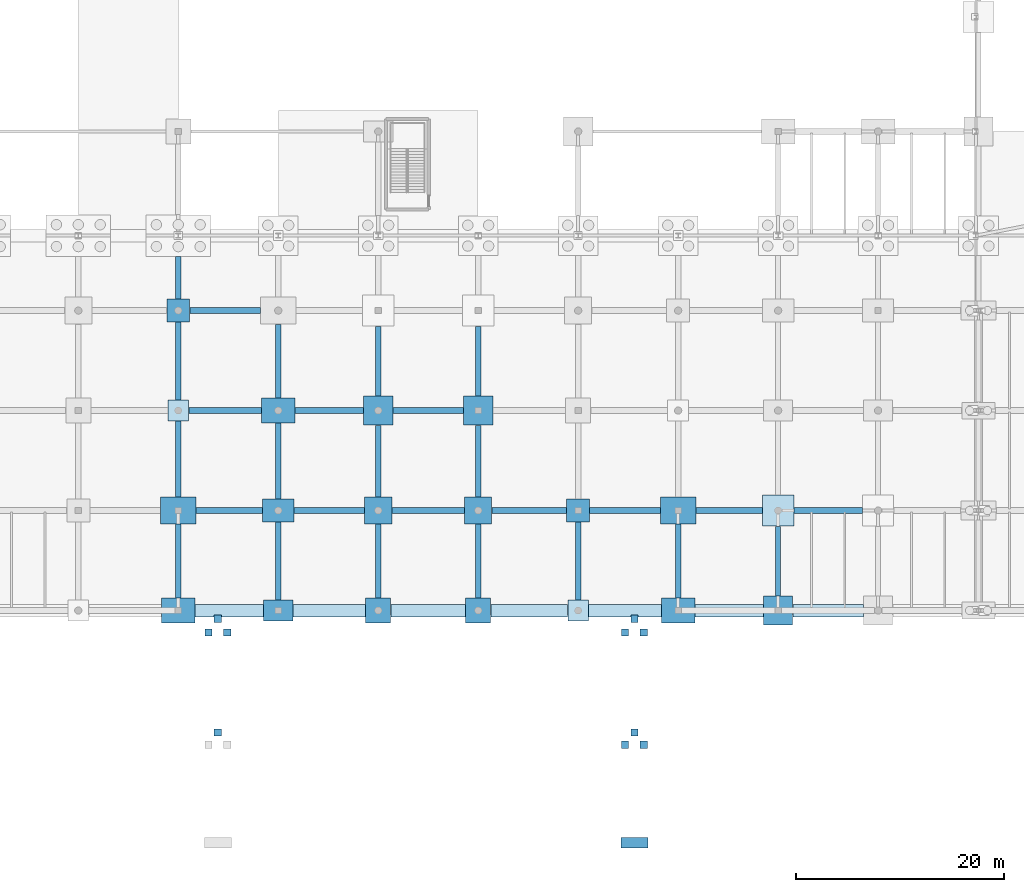
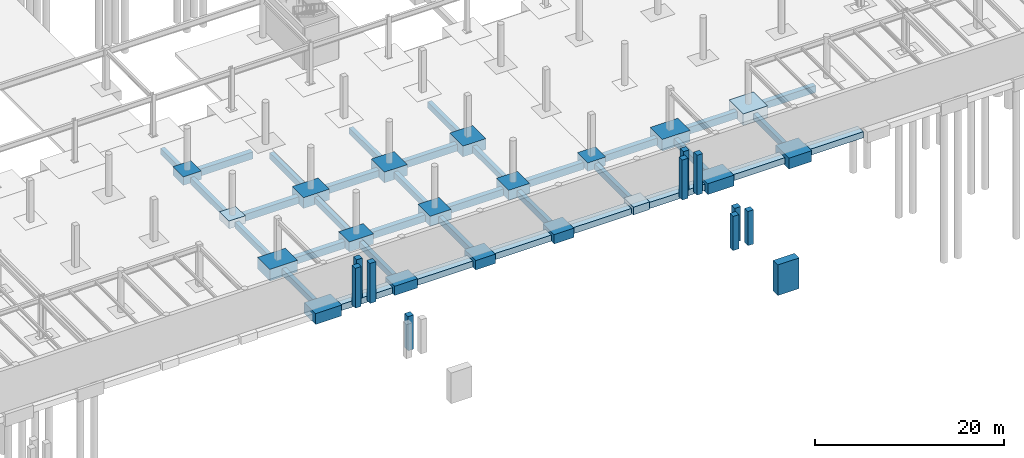
# One storey, part 3 of 50: 64 footings.
"""IFC4 building model written with IfcOpenShell, lengths in metres."""

from ifc_helpers import new_model, si_unit, direction, frame, origin, origin_2d, place, context, subcontext, project, spatial, polyline, rectangle, outline, extrude, material, material_profile, profile_set, type_object, element, save


model = new_model("IFC4")

# Units and contexts
model_context = context("Model", 3, precision=1e-05, world=origin(), true_north=direction((0.0, 1.0)))
body_context = subcontext(model_context, "Body", "Model", "MODEL_VIEW")
ifc_project = project(units=[si_unit("LENGTHUNIT", "METRE"), si_unit("AREAUNIT", "SQUARE_METRE"), si_unit("VOLUMEUNIT", "CUBIC_METRE"), si_unit("PLANEANGLEUNIT", "RADIAN"), si_unit("MASSUNIT", "GRAM", prefix="KILO")], contexts=[model_context])

# Site, building, storey
site_placement = place(None, origin())
site = spatial("IfcSite", under=ifc_project, at=site_placement, CompositionType="ELEMENT")
building_placement = place(site_placement, origin())
building = spatial("IfcBuilding", under=site, at=building_placement, Name="Yeouljin Market Hall", CompositionType="ELEMENT")
storey_placement = place(building_placement, frame((0.0, 0.0, -5.39990234375)))
storey = spatial("IfcBuildingStorey", under=building, at=storey_placement, Name="B1", CompositionType="ELEMENT", Elevation=-5.39990234375)

# Footings
ifc_material_1 = material(Name="Concrete C35/45", Category="concrete")
ifc_material_profile_1 = material_profile(ifc_material_1, rectangle(XDim=0.5, YDim=0.800048828125, at=origin_2d()), Name="RC-500x800")
ifc_profile_set_1 = profile_set([ifc_material_profile_1], Name="Concrete C35/45")
footing_type_1 = type_object("IfcFootingType", Name="FootingBeam_500x800", PredefinedType="FOOTING_BEAM", material=ifc_profile_set_1)
footing_1_placement = place(storey_placement, frame((64.199951171875, 1.2099609375, -0.800048828125), z_axis=(0.0, 1.0, 0.0), x_axis=(-1.0, 0.0, 0.0)))
element("IfcFooting", 1, at=footing_1_placement, inside=storey, type_object=footing_type_1, Name="Foundation tie beam Y-181", PredefinedType="FOOTING_BEAM", context=body_context, shape_type="SweptSolid", body=[
    extrude(rectangle(XDim=0.5, YDim=0.800048828125, at=origin_2d()), origin(), (0.0, 0.0, 1.0), 7.080078125),
])
footing_2_placement = place(storey_placement, frame((64.199951171875, 10.909912109375, -0.800048828125), z_axis=(0.0, 1.0, 0.0), x_axis=(-1.0, 0.0, 0.0)))
element("IfcFooting", 2, at=footing_2_placement, inside=storey, type_object=footing_type_1, Name="Foundation tie beam Y-182", PredefinedType="FOOTING_BEAM", context=body_context, shape_type="SweptSolid", body=[
    extrude(rectangle(XDim=0.5, YDim=0.800048828125, at=origin_2d()), origin(), (0.0, 0.0, 1.0), 7.280029296875),
])
footing_3_placement = place(storey_placement, frame((64.199951171875, 20.2099609375, -0.800048828125), z_axis=(0.0, 1.0, 0.0), x_axis=(-1.0, 0.0, 0.0)))
element("IfcFooting", 3, at=footing_3_placement, inside=storey, type_object=footing_type_1, Name="Foundation tie beam Y-183", PredefinedType="FOOTING_BEAM", context=body_context, shape_type="SweptSolid", body=[
    extrude(rectangle(XDim=0.5, YDim=0.800048828125, at=origin_2d()), origin(), (0.0, 0.0, 1.0), 7.47998046875),
])
footing_4_placement = place(storey_placement, frame((64.199951171875, 29.909912109375, -0.800048828125), z_axis=(0.0, 1.0, 0.0), x_axis=(-1.0, 0.0, 0.0)))
element("IfcFooting", 4, at=footing_4_placement, inside=storey, type_object=footing_type_1, Name="Foundation tie beam Y-184", PredefinedType="FOOTING_BEAM", context=body_context, shape_type="SweptSolid", body=[
    extrude(rectangle(XDim=0.5, YDim=0.800048828125, at=origin_2d()), origin(), (0.0, 0.0, 1.0), 4.080078125),
])
footing_5_placement = place(storey_placement, frame((73.800048828125, 1.010009765625, -0.800048828125), z_axis=(0.0, 1.0, 0.0), x_axis=(-1.0, 0.0, 0.0)))
element("IfcFooting", 5, at=footing_5_placement, inside=storey, type_object=footing_type_1, Name="Foundation tie beam Y-188", PredefinedType="FOOTING_BEAM", context=body_context, shape_type="SweptSolid", body=[
    extrude(rectangle(XDim=0.5, YDim=0.800048828125, at=origin_2d()), origin(), (0.0, 0.0, 1.0), 7.47998046875),
])
footing_6_placement = place(storey_placement, frame((73.800048828125, 10.7099609375, -0.800048828125), z_axis=(0.0, 1.0, 0.0), x_axis=(-1.0, 0.0, 0.0)))
element("IfcFooting", 6, at=footing_6_placement, inside=storey, type_object=footing_type_1, Name="Foundation tie beam Y-189", PredefinedType="FOOTING_BEAM", context=body_context, shape_type="SweptSolid", body=[
    extrude(rectangle(XDim=0.5, YDim=0.800048828125, at=origin_2d()), origin(), (0.0, 0.0, 1.0), 7.280029296875),
])
for number, where, z_axis, x_axis, name in (
    (7, (73.800048828125, 20.409912109375, -0.800048828125), (0.0, 1.0, 0.0), (-1.0, 0.0, 0.0), "Foundation tie beam Y-190"),
    (8, (83.39990234375, 1.2099609375, -0.800048828125), (0.0, 1.0, 0.0), (-1.0, 0.0, 0.0), "Foundation tie beam Y-193"),
):
    element("IfcFooting", number, at=place(storey_placement, frame(where, z_axis=z_axis, x_axis=x_axis)), inside=storey, type_object=footing_type_1, Name=name, PredefinedType="FOOTING_BEAM", context=body_context, shape_type="SweptSolid", body=[
        extrude(rectangle(XDim=0.5, YDim=0.800048828125, at=origin_2d()), origin(), (0.0, 0.0, 1.0), 7.080078125),
    ])
footing_7_placement = place(storey_placement, frame((83.39990234375, 10.909912109375, -0.800048828125), z_axis=(0.0, 1.0, 0.0), x_axis=(-1.0, 0.0, 0.0)))
element("IfcFooting", 9, at=footing_7_placement, inside=storey, type_object=footing_type_1, Name="Foundation tie beam Y-194", PredefinedType="FOOTING_BEAM", context=body_context, shape_type="SweptSolid", body=[
    extrude(rectangle(XDim=0.5, YDim=0.800048828125, at=origin_2d()), origin(), (0.0, 0.0, 1.0), 6.880126953125),
])
footing_8_placement = place(storey_placement, frame((83.39990234375, 20.610107421875, -0.800048828125), z_axis=(0.0, 1.0, 0.0), x_axis=(-1.0, 0.0, 0.0)))
element("IfcFooting", 10, at=footing_8_placement, inside=storey, type_object=footing_type_1, Name="Foundation tie beam Y-195", PredefinedType="FOOTING_BEAM", context=body_context, shape_type="SweptSolid", body=[
    extrude(rectangle(XDim=0.5, YDim=0.800048828125, at=origin_2d()), origin(), (0.0, 0.0, 1.0), 6.679931640625),
])
footing_9_placement = place(storey_placement, frame((93.0, 1.2099609375, -0.800048828125), z_axis=(0.0, 1.0, 0.0), x_axis=(-1.0, 0.0, 0.0)))
element("IfcFooting", 11, at=footing_9_placement, inside=storey, type_object=footing_type_1, Name="Foundation tie beam Y-203", PredefinedType="FOOTING_BEAM", context=body_context, shape_type="SweptSolid", body=[
    extrude(rectangle(XDim=0.5, YDim=0.800048828125, at=origin_2d()), origin(), (0.0, 0.0, 1.0), 7.080078125),
])
footing_10_placement = place(storey_placement, frame((93.0, 10.909912109375, -0.800048828125), z_axis=(0.0, 1.0, 0.0), x_axis=(-1.0, 0.0, 0.0)))
element("IfcFooting", 12, at=footing_10_placement, inside=storey, type_object=footing_type_1, Name="Foundation tie beam Y-204", PredefinedType="FOOTING_BEAM", context=body_context, shape_type="SweptSolid", body=[
    extrude(rectangle(XDim=0.5, YDim=0.800048828125, at=origin_2d()), origin(), (0.0, 0.0, 1.0), 6.880126953125),
])
footing_11_placement = place(storey_placement, frame((93.0, 20.610107421875, -0.800048828125), z_axis=(0.0, 1.0, 0.0), x_axis=(-1.0, 0.0, 0.0)))
element("IfcFooting", 13, at=footing_11_placement, inside=storey, type_object=footing_type_1, Name="Foundation tie beam Y-205", PredefinedType="FOOTING_BEAM", context=body_context, shape_type="SweptSolid", body=[
    extrude(rectangle(XDim=0.5, YDim=0.800048828125, at=origin_2d()), origin(), (0.0, 0.0, 1.0), 6.679931640625),
])
footing_12_placement = place(storey_placement, frame((102.60009765625, 1.010009765625, -0.800048828125), z_axis=(0.0, 1.0, 0.0), x_axis=(-1.0, 0.0, 0.0)))
element("IfcFooting", 14, at=footing_12_placement, inside=storey, type_object=footing_type_1, Name="Foundation tie beam Y-211", PredefinedType="FOOTING_BEAM", context=body_context, shape_type="SweptSolid", body=[
    extrude(rectangle(XDim=0.5, YDim=0.800048828125, at=origin_2d()), origin(), (0.0, 0.0, 1.0), 7.47998046875),
])
footing_13_placement = place(storey_placement, frame((112.199951171875, 1.2099609375, -0.800048828125), z_axis=(0.0, 1.0, 0.0), x_axis=(-1.0, 0.0, 0.0)))
element("IfcFooting", 15, at=footing_13_placement, inside=storey, type_object=footing_type_1, Name="Foundation tie beam Y-218", PredefinedType="FOOTING_BEAM", context=body_context, shape_type="SweptSolid", body=[
    extrude(rectangle(XDim=0.5, YDim=0.800048828125, at=origin_2d()), origin(), (0.0, 0.0, 1.0), 7.080078125),
])
footing_14_placement = place(storey_placement, frame((121.800048828125, 1.409912109375, -0.800048828125), z_axis=(0.0, 1.0, 0.0), x_axis=(-1.0, 0.0, 0.0)))
element("IfcFooting", 16, at=footing_14_placement, inside=storey, type_object=footing_type_1, Name="Foundation tie beam Y-223", PredefinedType="FOOTING_BEAM", context=body_context, shape_type="SweptSolid", body=[
    extrude(rectangle(XDim=0.5, YDim=0.800048828125, at=origin_2d()), origin(), (0.0, 0.0, 1.0), 6.68017578125),
])
ifc_material_2 = material(Name="Concrete C35/45", Category="concrete")
ifc_material_profile_2 = material_profile(ifc_material_2, rectangle(XDim=0.60009765625, YDim=0.89990234375, at=origin_2d()), Name="RC-600x900")
ifc_profile_set_2 = profile_set([ifc_material_profile_2], Name="Concrete C35/45")
footing_type_2 = type_object("IfcFootingType", Name="FootingBeam_600x900", PredefinedType="FOOTING_BEAM", material=ifc_profile_set_2)
footing_15_placement = place(storey_placement, frame((65.909912109375, 9.60009765625, -0.85009765625), z_axis=(1.0, 0.0, 0.0), x_axis=(0.0, 1.0, 0.0)))
element("IfcFooting", 17, at=footing_15_placement, inside=storey, type_object=footing_type_2, Name="Foundation tie beam X-027", PredefinedType="FOOTING_BEAM", context=body_context, shape_type="SweptSolid", body=[
    extrude(rectangle(XDim=0.60009765625, YDim=0.89990234375, at=origin_2d()), origin(), (0.0, 0.0, 1.0), 6.380126953125),
])
footing_16_placement = place(storey_placement, frame((75.31005859375, 9.60009765625, -0.85009765625), z_axis=(1.0, 0.0, 0.0), x_axis=(0.0, 1.0, 0.0)))
element("IfcFooting", 18, at=footing_16_placement, inside=storey, type_object=footing_type_2, Name="Foundation tie beam X-028", PredefinedType="FOOTING_BEAM", context=body_context, shape_type="SweptSolid", body=[
    extrude(rectangle(XDim=0.60009765625, YDim=0.89990234375, at=origin_2d()), origin(), (0.0, 0.0, 1.0), 6.780029296875),
])
footing_17_placement = place(storey_placement, frame((84.7099609375, 9.60009765625, -0.85009765625), z_axis=(1.0, 0.0, 0.0), x_axis=(0.0, 1.0, 0.0)))
element("IfcFooting", 19, at=footing_17_placement, inside=storey, type_object=footing_type_2, Name="Foundation tie beam X-029", PredefinedType="FOOTING_BEAM", context=body_context, shape_type="SweptSolid", body=[
    extrude(rectangle(XDim=0.60009765625, YDim=0.89990234375, at=origin_2d()), origin(), (0.0, 0.0, 1.0), 6.97998046875),
])
footing_18_placement = place(storey_placement, frame((94.31005859375, 9.60009765625, -0.85009765625), z_axis=(1.0, 0.0, 0.0), x_axis=(0.0, 1.0, 0.0)))
element("IfcFooting", 20, at=footing_18_placement, inside=storey, type_object=footing_type_2, Name="Foundation tie beam X-030", PredefinedType="FOOTING_BEAM", context=body_context, shape_type="SweptSolid", body=[
    extrude(rectangle(XDim=0.60009765625, YDim=0.89990234375, at=origin_2d()), origin(), (0.0, 0.0, 1.0), 7.179931640625),
])
footing_19_placement = place(storey_placement, frame((103.7099609375, 9.60009765625, -0.85009765625), z_axis=(1.0, 0.0, 0.0), x_axis=(0.0, 1.0, 0.0)))
element("IfcFooting", 21, at=footing_19_placement, inside=storey, type_object=footing_type_2, Name="Foundation tie beam X-031", PredefinedType="FOOTING_BEAM", context=body_context, shape_type="SweptSolid", body=[
    extrude(rectangle(XDim=0.60009765625, YDim=0.89990234375, at=origin_2d()), origin(), (0.0, 0.0, 1.0), 6.780029296875),
])
footing_20_placement = place(storey_placement, frame((113.909912109375, 9.60009765625, -0.85009765625), z_axis=(1.0, 0.0, 0.0), x_axis=(0.0, 1.0, 0.0)))
element("IfcFooting", 22, at=footing_20_placement, inside=storey, type_object=footing_type_2, Name="Foundation tie beam X-032", PredefinedType="FOOTING_BEAM", context=body_context, shape_type="SweptSolid", body=[
    extrude(rectangle(XDim=0.60009765625, YDim=0.89990234375, at=origin_2d()), origin(), (0.0, 0.0, 1.0), 6.380126953125),
])
footing_21_placement = place(storey_placement, frame((123.31005859375, 9.60009765625, -0.85009765625), z_axis=(1.0, 0.0, 0.0), x_axis=(0.0, 1.0, 0.0)))
element("IfcFooting", 23, at=footing_21_placement, inside=storey, type_object=footing_type_2, Name="Foundation tie beam X-033", PredefinedType="FOOTING_BEAM", context=body_context, shape_type="SweptSolid", body=[
    extrude(rectangle(XDim=0.60009765625, YDim=0.89990234375, at=origin_2d()), origin(), (0.0, 0.0, 1.0), 6.579833984375),
])
footing_22_placement = place(storey_placement, frame((65.2099609375, 19.199951171875, -0.85009765625), z_axis=(1.0, 0.0, 0.0), x_axis=(0.0, 1.0, 0.0)))
element("IfcFooting", 24, at=footing_22_placement, inside=storey, type_object=footing_type_2, Name="Foundation tie beam X-043", PredefinedType="FOOTING_BEAM", context=body_context, shape_type="SweptSolid", body=[
    extrude(rectangle(XDim=0.60009765625, YDim=0.89990234375, at=origin_2d()), origin(), (0.0, 0.0, 1.0), 6.97998046875),
])
footing_23_placement = place(storey_placement, frame((75.409912109375, 19.199951171875, -0.85009765625), z_axis=(1.0, 0.0, 0.0), x_axis=(0.0, 1.0, 0.0)))
element("IfcFooting", 25, at=footing_23_placement, inside=storey, type_object=footing_type_2, Name="Foundation tie beam X-044", PredefinedType="FOOTING_BEAM", context=body_context, shape_type="SweptSolid", body=[
    extrude(rectangle(XDim=0.60009765625, YDim=0.89990234375, at=origin_2d()), origin(), (0.0, 0.0, 1.0), 6.580078125),
])
for number, where, z_axis, x_axis, name in (
    (26, (84.81005859375, 19.199951171875, -0.85009765625), (1.0, 0.0, 0.0), (0.0, 1.0, 0.0), "Foundation tie beam X-045"),
    (27, (65.31005859375, 28.800048828125, -0.85009765625), (1.0, 0.0, 0.0), (0.0, 1.0, 0.0), "Foundation tie beam X-056"),
):
    element("IfcFooting", number, at=place(storey_placement, frame(where, z_axis=z_axis, x_axis=x_axis)), inside=storey, type_object=footing_type_2, Name=name, PredefinedType="FOOTING_BEAM", context=body_context, shape_type="SweptSolid", body=[
        extrude(rectangle(XDim=0.60009765625, YDim=0.89990234375, at=origin_2d()), origin(), (0.0, 0.0, 1.0), 6.780029296875),
    ])
ifc_material_3 = material(Name="Concrete C35/45", Category="concrete")
footing_type_3 = type_object("IfcFootingType", Name="PadFooting_2000x2000x1000", PredefinedType="PAD_FOOTING", material=ifc_material_3)
footing_24_placement = place(storey_placement, frame((0.0, 0.0, -1.0)))
element("IfcFooting", 28, at=footing_24_placement, inside=storey, type_object=footing_type_3, Name="Pile cap FPAD-031", PredefinedType="PAD_FOOTING", context=body_context, shape_type="SweptSolid", body=[
    extrude(outline(polyline([(63.199951171875, 18.199951171875), (65.199951171875, 18.199951171875), (65.199951171875, 20.199951171875), (63.199951171875, 20.199951171875), (63.199951171875, 18.199951171875)])), origin(), (0.0, 0.0, 1.0), 1.0),
])
footing_25_placement = place(storey_placement, frame((0.0, 0.0, -1.0)))
element("IfcFooting", 29, at=footing_25_placement, inside=storey, type_object=footing_type_3, Name="Pile cap FPAD-061", PredefinedType="PAD_FOOTING", context=body_context, shape_type="SweptSolid", body=[
    extrude(outline(polyline([(101.60009765625, -1.0), (103.60009765625, -1.0), (103.60009765625, 1.0), (101.60009765625, 1.0), (101.60009765625, -1.0)])), origin(), (0.0, 0.0, 1.0), 1.0),
])
ifc_material_4 = material(Name="Concrete C35/45", Category="concrete")
footing_type_4 = type_object("IfcFootingType", Name="PadFooting_2200x2200x1100", PredefinedType="PAD_FOOTING", material=ifc_material_4)
footing_26_placement = place(storey_placement, frame((0.0, 0.0, -1.10009765625)))
element("IfcFooting", 30, at=footing_26_placement, inside=storey, type_object=footing_type_4, Name="Pile cap FPAD-032", PredefinedType="PAD_FOOTING", context=body_context, shape_type="SweptSolid", body=[
    extrude(outline(polyline([(63.10009765625, 27.699951171875), (65.300048828125, 27.699951171875), (65.300048828125, 29.89990234375), (63.10009765625, 29.89990234375), (63.10009765625, 27.699951171875)])), origin(), (0.0, 0.0, 1.0), 1.10009765625),
])
footing_27_placement = place(storey_placement, frame((0.0, 0.0, -1.10009765625)))
element("IfcFooting", 31, at=footing_27_placement, inside=storey, type_object=footing_type_4, Name="Pile cap FPAD-062", PredefinedType="PAD_FOOTING", context=body_context, shape_type="SweptSolid", body=[
    extrude(outline(polyline([(101.5, 8.5), (103.699951171875, 8.5), (103.699951171875, 10.699951171875), (101.5, 10.699951171875), (101.5, 8.5)])), origin(), (0.0, 0.0, 1.0), 1.10009765625),
])
ifc_material_5 = material(Name="Concrete C35/45", Category="concrete")
footing_type_5 = type_object("IfcFootingType", Name="PadFooting_2400x2400x1200", PredefinedType="PAD_FOOTING", material=ifc_material_5)
footing_28_placement = place(storey_placement, frame((0.0, 0.0, -1.2001953125)))
element("IfcFooting", 32, at=footing_28_placement, inside=storey, type_object=footing_type_5, Name="Pile cap FPAD-043", PredefinedType="PAD_FOOTING", context=body_context, shape_type="SweptSolid", body=[
    extrude(outline(polyline([(82.199951171875, -1.199951171875), (84.60009765625, -1.199951171875), (84.60009765625, 1.199951171875), (82.199951171875, 1.199951171875), (82.199951171875, -1.199951171875)])), origin(), (0.0, 0.0, 1.0), 1.2001953125),
])
footing_29_placement = place(storey_placement, frame((0.0, 0.0, -1.2001953125)))
element("IfcFooting", 33, at=footing_29_placement, inside=storey, type_object=footing_type_5, Name="Pile cap FPAD-053", PredefinedType="PAD_FOOTING", context=body_context, shape_type="SweptSolid", body=[
    extrude(outline(polyline([(91.800048828125, -1.199951171875), (94.199951171875, -1.199951171875), (94.199951171875, 1.199951171875), (91.800048828125, 1.199951171875), (91.800048828125, -1.199951171875)])), origin(), (0.0, 0.0, 1.0), 1.2001953125),
])
ifc_material_6 = material(Name="Concrete C35/45", Category="concrete")
footing_type_6 = type_object("IfcFootingType", Name="PadFooting_2600x2600x1300", PredefinedType="PAD_FOOTING", material=ifc_material_6)
footing_30_placement = place(storey_placement, frame((0.0, 0.0, -1.300048828125)))
element("IfcFooting", 34, at=footing_30_placement, inside=storey, type_object=footing_type_6, Name="Pile cap FPAD-044", PredefinedType="PAD_FOOTING", context=body_context, shape_type="SweptSolid", body=[
    extrude(outline(polyline([(82.10009765625, 8.300048828125), (84.699951171875, 8.300048828125), (84.699951171875, 10.89990234375), (82.10009765625, 10.89990234375), (82.10009765625, 8.300048828125)])), origin(), (0.0, 0.0, 1.0), 1.300048828125),
])
footing_31_placement = place(storey_placement, frame((0.0, 0.0, -1.300048828125)))
element("IfcFooting", 35, at=footing_31_placement, inside=storey, type_object=footing_type_6, Name="Pile cap FPAD-054", PredefinedType="PAD_FOOTING", context=body_context, shape_type="SweptSolid", body=[
    extrude(outline(polyline([(91.699951171875, 8.300048828125), (94.300048828125, 8.300048828125), (94.300048828125, 10.89990234375), (91.699951171875, 10.89990234375), (91.699951171875, 8.300048828125)])), origin(), (0.0, 0.0, 1.0), 1.300048828125),
])
ifc_material_7 = material(Name="Concrete C35/45", Category="concrete")
footing_type_7 = type_object("IfcFootingType", Name="PadFooting_2800x2000x1200", PredefinedType="PAD_FOOTING", material=ifc_material_7)
footing_32_placement = place(storey_placement, frame((0.0, 0.0, -1.2001953125)))
element("IfcFooting", 36, at=footing_32_placement, inside=storey, type_object=footing_type_7, Name="Pile cap FPAD-037", PredefinedType="PAD_FOOTING", context=body_context, shape_type="SweptSolid", body=[
    extrude(outline(polyline([(72.39990234375, -1.0), (75.199951171875, -1.0), (75.199951171875, 1.0), (72.39990234375, 1.0), (72.39990234375, -1.0)])), origin(), (0.0, 0.0, 1.0), 1.2001953125),
])
ifc_material_8 = material(Name="Concrete C35/45", Category="concrete")
footing_type_8 = type_object("IfcFootingType", Name="PadFooting_2800x2800x1400", PredefinedType="PAD_FOOTING", material=ifc_material_8)
footing_33_placement = place(storey_placement, frame((0.0, 0.0, -1.400146484375)))
element("IfcFooting", 37, at=footing_33_placement, inside=storey, type_object=footing_type_8, Name="Pile cap FPAD-045", PredefinedType="PAD_FOOTING", context=body_context, shape_type="SweptSolid", body=[
    extrude(outline(polyline([(82.0, 17.800048828125), (84.800048828125, 17.800048828125), (84.800048828125, 20.60009765625), (82.0, 20.60009765625), (82.0, 17.800048828125)])), origin(), (0.0, 0.0, 1.0), 1.400146484375),
])
footing_34_placement = place(storey_placement, frame((0.0, 0.0, -1.400146484375)))
element("IfcFooting", 38, at=footing_34_placement, inside=storey, type_object=footing_type_8, Name="Pile cap FPAD-055", PredefinedType="PAD_FOOTING", context=body_context, shape_type="SweptSolid", body=[
    extrude(outline(polyline([(91.60009765625, 17.800048828125), (94.39990234375, 17.800048828125), (94.39990234375, 20.60009765625), (91.60009765625, 20.60009765625), (91.60009765625, 17.800048828125)])), origin(), (0.0, 0.0, 1.0), 1.400146484375),
])
footing_35_placement = place(storey_placement, frame((0.0, 0.0, -1.400146484375)))
element("IfcFooting", 39, at=footing_35_placement, inside=storey, type_object=footing_type_8, Name="Pile cap FPAD-075", PredefinedType="PAD_FOOTING", context=body_context, shape_type="SweptSolid", body=[
    extrude(outline(polyline([(120.39990234375, -1.39990234375), (123.199951171875, -1.39990234375), (123.199951171875, 1.39990234375), (120.39990234375, 1.39990234375), (120.39990234375, -1.39990234375)])), origin(), (0.0, 0.0, 1.0), 1.400146484375),
])
ifc_material_9 = material(Name="Concrete C35/45", Category="concrete")
footing_type_9 = type_object("IfcFootingType", Name="PadFooting_3000x2200x1300", PredefinedType="PAD_FOOTING", material=ifc_material_9)
footing_36_placement = place(storey_placement, frame((0.0, 0.0, -1.300048828125)))
element("IfcFooting", 40, at=footing_36_placement, inside=storey, type_object=footing_type_9, Name="Pile cap FPAD-038", PredefinedType="PAD_FOOTING", context=body_context, shape_type="SweptSolid", body=[
    extrude(outline(polyline([(72.300048828125, 8.5), (75.300048828125, 8.5), (75.300048828125, 10.699951171875), (72.300048828125, 10.699951171875), (72.300048828125, 8.5)])), origin(), (0.0, 0.0, 1.0), 1.300048828125),
])
ifc_material_10 = material(Name="Concrete C35/45", Category="concrete")
footing_type_10 = type_object("IfcFootingType", Name="PadFooting_3000x3000x1500", PredefinedType="PAD_FOOTING", material=ifc_material_10)
footing_37_placement = place(storey_placement, frame((0.0, 0.0, -1.5)))
element("IfcFooting", 41, at=footing_37_placement, inside=storey, type_object=footing_type_10, Name="Pile cap FPAD-076", PredefinedType="PAD_FOOTING", context=body_context, shape_type="SweptSolid", body=[
    extrude(outline(polyline([(120.300048828125, 8.10009765625), (123.300048828125, 8.10009765625), (123.300048828125, 11.10009765625), (120.300048828125, 11.10009765625), (120.300048828125, 8.10009765625)])), origin(), (0.0, 0.0, 1.0), 1.5),
])
ifc_material_11 = material(Name="Concrete C35/45", Category="concrete")
footing_type_11 = type_object("IfcFootingType", Name="PadFooting_3200x2400x1400", PredefinedType="PAD_FOOTING", material=ifc_material_11)
footing_38_placement = place(storey_placement, frame((0.0, 0.0, -1.400146484375)))
element("IfcFooting", 42, at=footing_38_placement, inside=storey, type_object=footing_type_11, Name="Pile cap FPAD-029", PredefinedType="PAD_FOOTING", context=body_context, shape_type="SweptSolid", body=[
    extrude(outline(polyline([(62.60009765625, -1.199951171875), (65.800048828125, -1.199951171875), (65.800048828125, 1.199951171875), (62.60009765625, 1.199951171875), (62.60009765625, -1.199951171875)])), origin(), (0.0, 0.0, 1.0), 1.400146484375),
])
footing_39_placement = place(storey_placement, frame((0.0, 0.0, -1.400146484375)))
element("IfcFooting", 43, at=footing_39_placement, inside=storey, type_object=footing_type_11, Name="Pile cap FPAD-039", PredefinedType="PAD_FOOTING", context=body_context, shape_type="SweptSolid", body=[
    extrude(outline(polyline([(72.199951171875, 18.0), (75.39990234375, 18.0), (75.39990234375, 20.39990234375), (72.199951171875, 20.39990234375), (72.199951171875, 18.0)])), origin(), (0.0, 0.0, 1.0), 1.400146484375),
])
footing_40_placement = place(storey_placement, frame((0.0, 0.0, -1.400146484375)))
element("IfcFooting", 44, at=footing_40_placement, inside=storey, type_object=footing_type_11, Name="Pile cap FPAD-069", PredefinedType="PAD_FOOTING", context=body_context, shape_type="SweptSolid", body=[
    extrude(outline(polyline([(110.60009765625, -1.199951171875), (113.800048828125, -1.199951171875), (113.800048828125, 1.199951171875), (110.60009765625, 1.199951171875), (110.60009765625, -1.199951171875)])), origin(), (0.0, 0.0, 1.0), 1.400146484375),
])
ifc_material_12 = material(Name="Concrete C35/45", Category="concrete")
footing_type_12 = type_object("IfcFootingType", Name="PadFooting_3400x2600x1500", PredefinedType="PAD_FOOTING", material=ifc_material_12)
footing_41_placement = place(storey_placement, frame((0.0, 0.0, -1.5)))
element("IfcFooting", 45, at=footing_41_placement, inside=storey, type_object=footing_type_12, Name="Pile cap FPAD-030", PredefinedType="PAD_FOOTING", context=body_context, shape_type="SweptSolid", body=[
    extrude(outline(polyline([(62.5, 8.300048828125), (65.89990234375, 8.300048828125), (65.89990234375, 10.89990234375), (62.5, 10.89990234375), (62.5, 8.300048828125)])), origin(), (0.0, 0.0, 1.0), 1.5),
])
footing_42_placement = place(storey_placement, frame((0.0, 0.0, -1.5)))
element("IfcFooting", 46, at=footing_42_placement, inside=storey, type_object=footing_type_12, Name="Pile cap FPAD-070", PredefinedType="PAD_FOOTING", context=body_context, shape_type="SweptSolid", body=[
    extrude(outline(polyline([(110.5, 8.300048828125), (113.89990234375, 8.300048828125), (113.89990234375, 10.89990234375), (110.5, 10.89990234375), (110.5, 8.300048828125)])), origin(), (0.0, 0.0, 1.0), 1.5),
])
ifc_material_13 = material(Name="Concrete C35/45", Category="concrete")
footing_type_13 = type_object("IfcFootingType", Name="PierFooting_Ped_2600x1000x3960", PredefinedType="PAD_FOOTING", material=ifc_material_13)
footing_43_placement = place(storey_placement, origin())
element("IfcFooting", 47, at=footing_43_placement, inside=storey, type_object=footing_type_13, Name="Pedestrian ramp foundation pier RMP-PED-03-FBOT", PredefinedType="PAD_FOOTING", context=body_context, shape_type="SweptSolid", body=[
    extrude(outline(polyline([(106.699951171875, -22.800048828125), (109.300048828125, -22.800048828125), (109.300048828125, -21.800048828125), (106.699951171875, -21.800048828125), (106.699951171875, -22.800048828125)])), origin(), (0.0, 0.0, 1.0), 3.9599609375),
])
ifc_material_14 = material(Name="Concrete C35/45", Category="concrete")
footing_type_14 = type_object("IfcFootingType", Name="PierFooting_Ped_700x700x4430", PredefinedType="PAD_FOOTING", material=ifc_material_14)
footing_44_placement = place(storey_placement, origin())
element("IfcFooting", 48, at=footing_44_placement, inside=storey, type_object=footing_type_14, Name="Pedestrian ramp foundation pier RMP-PED-02-FMID3", PredefinedType="PAD_FOOTING", context=body_context, shape_type="SweptSolid", body=[
    extrude(outline(polyline([(67.64990234375, -12.050048828125), (68.35009765625, -12.050048828125), (68.35009765625, -11.35009765625), (67.64990234375, -11.35009765625), (67.64990234375, -12.050048828125)])), origin(), (0.0, 0.0, 1.0), 4.429931640625),
])
footing_45_placement = place(storey_placement, origin())
element("IfcFooting", 49, at=footing_45_placement, inside=storey, type_object=footing_type_14, Name="Pedestrian ramp foundation pier RMP-PED-03-FMID1", PredefinedType="PAD_FOOTING", context=body_context, shape_type="SweptSolid", body=[
    extrude(outline(polyline([(106.75, -13.25), (107.449951171875, -13.25), (107.449951171875, -12.550048828125), (106.75, -12.550048828125), (106.75, -13.25)])), origin(), (0.0, 0.0, 1.0), 4.429931640625),
])
footing_46_placement = place(storey_placement, origin())
element("IfcFooting", 50, at=footing_46_placement, inside=storey, type_object=footing_type_14, Name="Pedestrian ramp foundation pier RMP-PED-03-FMID2", PredefinedType="PAD_FOOTING", context=body_context, shape_type="SweptSolid", body=[
    extrude(outline(polyline([(108.550048828125, -13.25), (109.25, -13.25), (109.25, -12.550048828125), (108.550048828125, -12.550048828125), (108.550048828125, -13.25)])), origin(), (0.0, 0.0, 1.0), 4.429931640625),
])
footing_47_placement = place(storey_placement, origin())
element("IfcFooting", 51, at=footing_47_placement, inside=storey, type_object=footing_type_14, Name="Pedestrian ramp foundation pier RMP-PED-03-FMID3", PredefinedType="PAD_FOOTING", context=body_context, shape_type="SweptSolid", body=[
    extrude(outline(polyline([(107.64990234375, -12.050048828125), (108.35009765625, -12.050048828125), (108.35009765625, -11.35009765625), (107.64990234375, -11.35009765625), (107.64990234375, -12.050048828125)])), origin(), (0.0, 0.0, 1.0), 4.429931640625),
])
ifc_material_15 = material(Name="Concrete C35/45", Category="concrete")
footing_type_15 = type_object("IfcFootingType", Name="PierFooting_Ped_700x700x5160", PredefinedType="PAD_FOOTING", material=ifc_material_15)
footing_48_placement = place(storey_placement, origin())
element("IfcFooting", 52, at=footing_48_placement, inside=storey, type_object=footing_type_15, Name="Pedestrian ramp foundation pier RMP-PED-02-FTOP1", PredefinedType="PAD_FOOTING", context=body_context, shape_type="SweptSolid", body=[
    extrude(outline(polyline([(66.75, -2.449951171875), (67.449951171875, -2.449951171875), (67.449951171875, -1.75), (66.75, -1.75), (66.75, -2.449951171875)])), origin(), (0.0, 0.0, 1.0), 5.159912109375),
])
footing_49_placement = place(storey_placement, origin())
element("IfcFooting", 53, at=footing_49_placement, inside=storey, type_object=footing_type_15, Name="Pedestrian ramp foundation pier RMP-PED-02-FTOP2", PredefinedType="PAD_FOOTING", context=body_context, shape_type="SweptSolid", body=[
    extrude(outline(polyline([(68.550048828125, -2.449951171875), (69.25, -2.449951171875), (69.25, -1.75), (68.550048828125, -1.75), (68.550048828125, -2.449951171875)])), origin(), (0.0, 0.0, 1.0), 5.159912109375),
])
footing_50_placement = place(storey_placement, origin())
element("IfcFooting", 54, at=footing_50_placement, inside=storey, type_object=footing_type_15, Name="Pedestrian ramp foundation pier RMP-PED-02-FTOP3", PredefinedType="PAD_FOOTING", context=body_context, shape_type="SweptSolid", body=[
    extrude(outline(polyline([(67.64990234375, -1.14990234375), (68.35009765625, -1.14990234375), (68.35009765625, -0.449951171875), (67.64990234375, -0.449951171875), (67.64990234375, -1.14990234375)])), origin(), (0.0, 0.0, 1.0), 5.159912109375),
])
footing_51_placement = place(storey_placement, origin())
element("IfcFooting", 55, at=footing_51_placement, inside=storey, type_object=footing_type_15, Name="Pedestrian ramp foundation pier RMP-PED-03-FTOP1", PredefinedType="PAD_FOOTING", context=body_context, shape_type="SweptSolid", body=[
    extrude(outline(polyline([(106.75, -2.449951171875), (107.449951171875, -2.449951171875), (107.449951171875, -1.75), (106.75, -1.75), (106.75, -2.449951171875)])), origin(), (0.0, 0.0, 1.0), 5.159912109375),
])
footing_52_placement = place(storey_placement, origin())
element("IfcFooting", 56, at=footing_52_placement, inside=storey, type_object=footing_type_15, Name="Pedestrian ramp foundation pier RMP-PED-03-FTOP2", PredefinedType="PAD_FOOTING", context=body_context, shape_type="SweptSolid", body=[
    extrude(outline(polyline([(108.550048828125, -2.449951171875), (109.25, -2.449951171875), (109.25, -1.75), (108.550048828125, -1.75), (108.550048828125, -2.449951171875)])), origin(), (0.0, 0.0, 1.0), 5.159912109375),
])
footing_53_placement = place(storey_placement, origin())
element("IfcFooting", 57, at=footing_53_placement, inside=storey, type_object=footing_type_15, Name="Pedestrian ramp foundation pier RMP-PED-03-FTOP3", PredefinedType="PAD_FOOTING", context=body_context, shape_type="SweptSolid", body=[
    extrude(outline(polyline([(107.64990234375, -1.14990234375), (108.35009765625, -1.14990234375), (108.35009765625, -0.449951171875), (107.64990234375, -0.449951171875), (107.64990234375, -1.14990234375)])), origin(), (0.0, 0.0, 1.0), 5.159912109375),
])
ifc_material_16 = material(Name="Concrete C35/45", Category="concrete")
ifc_material_profile_3 = material_profile(ifc_material_16, rectangle(XDim=1.199951171875, YDim=0.800048828125, at=origin_2d()), Name="SF-1200x800")
ifc_profile_set_3 = profile_set([ifc_material_profile_3], Name="Concrete C35/45")
footing_type_16 = type_object("IfcFootingType", Name="StripFooting_1200x800", PredefinedType="STRIP_FOOTING", material=ifc_profile_set_3)
footing_54_placement = place(storey_placement, frame((65.81005859375, 0.0, -0.800048828125), z_axis=(1.0, 0.0, 0.0), x_axis=(0.0, 1.0, 0.0)))
element("IfcFooting", 58, at=footing_54_placement, inside=storey, type_object=footing_type_16, Name="Foundation tie beam X-008", PredefinedType="STRIP_FOOTING", context=body_context, shape_type="SweptSolid", body=[
    extrude(rectangle(XDim=1.199951171875, YDim=0.800048828125, at=origin_2d()), origin(), (0.0, 0.0, 1.0), 6.579833984375),
])
footing_55_placement = place(storey_placement, frame((75.2099609375, 0.0, -0.800048828125), z_axis=(1.0, 0.0, 0.0), x_axis=(0.0, 1.0, 0.0)))
element("IfcFooting", 59, at=footing_55_placement, inside=storey, type_object=footing_type_16, Name="Foundation tie beam X-009", PredefinedType="STRIP_FOOTING", context=body_context, shape_type="SweptSolid", body=[
    extrude(rectangle(XDim=1.199951171875, YDim=0.800048828125, at=origin_2d()), origin(), (0.0, 0.0, 1.0), 6.97998046875),
])
footing_56_placement = place(storey_placement, frame((84.610107421875, 0.0, -0.800048828125), z_axis=(1.0, 0.0, 0.0), x_axis=(0.0, 1.0, 0.0)))
element("IfcFooting", 60, at=footing_56_placement, inside=storey, type_object=footing_type_16, Name="Foundation tie beam X-010", PredefinedType="STRIP_FOOTING", context=body_context, shape_type="SweptSolid", body=[
    extrude(rectangle(XDim=1.199951171875, YDim=0.800048828125, at=origin_2d()), origin(), (0.0, 0.0, 1.0), 7.179931640625),
])
footing_57_placement = place(storey_placement, frame((94.2099609375, 0.0, -0.800048828125), z_axis=(1.0, 0.0, 0.0), x_axis=(0.0, 1.0, 0.0)))
element("IfcFooting", 61, at=footing_57_placement, inside=storey, type_object=footing_type_16, Name="Foundation tie beam X-011", PredefinedType="STRIP_FOOTING", context=body_context, shape_type="SweptSolid", body=[
    extrude(rectangle(XDim=1.199951171875, YDim=0.800048828125, at=origin_2d()), origin(), (0.0, 0.0, 1.0), 7.380126953125),
])
footing_58_placement = place(storey_placement, frame((103.610107421875, 0.0, -0.800048828125), z_axis=(1.0, 0.0, 0.0), x_axis=(0.0, 1.0, 0.0)))
element("IfcFooting", 62, at=footing_58_placement, inside=storey, type_object=footing_type_16, Name="Foundation tie beam X-012", PredefinedType="STRIP_FOOTING", context=body_context, shape_type="SweptSolid", body=[
    extrude(rectangle(XDim=1.199951171875, YDim=0.800048828125, at=origin_2d()), origin(), (0.0, 0.0, 1.0), 6.97998046875),
])
footing_59_placement = place(storey_placement, frame((113.81005859375, 0.0, -0.800048828125), z_axis=(1.0, 0.0, 0.0), x_axis=(0.0, 1.0, 0.0)))
element("IfcFooting", 63, at=footing_59_placement, inside=storey, type_object=footing_type_16, Name="Foundation tie beam X-013", PredefinedType="STRIP_FOOTING", context=body_context, shape_type="SweptSolid", body=[
    extrude(rectangle(XDim=1.199951171875, YDim=0.800048828125, at=origin_2d()), origin(), (0.0, 0.0, 1.0), 6.579833984375),
])
footing_60_placement = place(storey_placement, frame((123.2099609375, 0.0, -0.800048828125), z_axis=(1.0, 0.0, 0.0), x_axis=(0.0, 1.0, 0.0)))
element("IfcFooting", 64, at=footing_60_placement, inside=storey, type_object=footing_type_16, Name="Foundation tie beam X-014", PredefinedType="STRIP_FOOTING", context=body_context, shape_type="SweptSolid", body=[
    extrude(rectangle(XDim=1.199951171875, YDim=0.800048828125, at=origin_2d()), origin(), (0.0, 0.0, 1.0), 6.780029296875),
])

save(model, "model.ifc")
